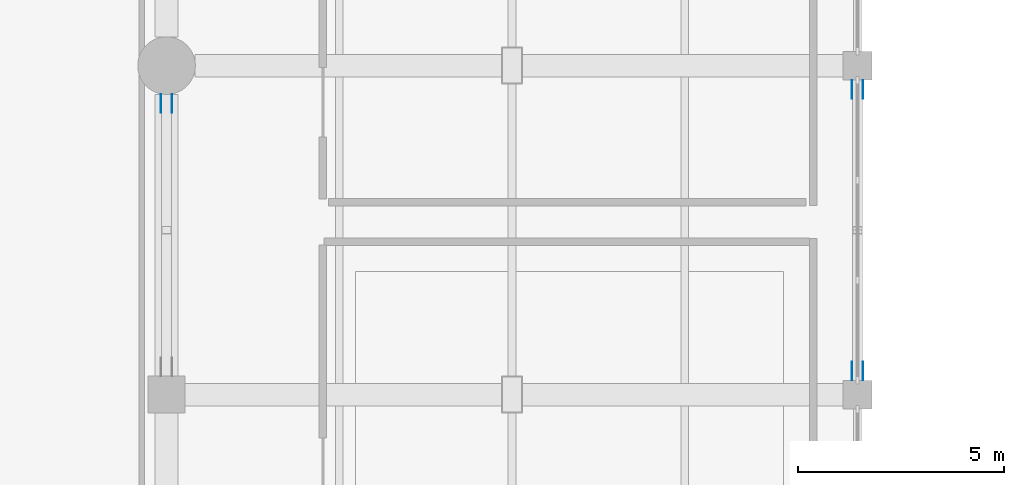
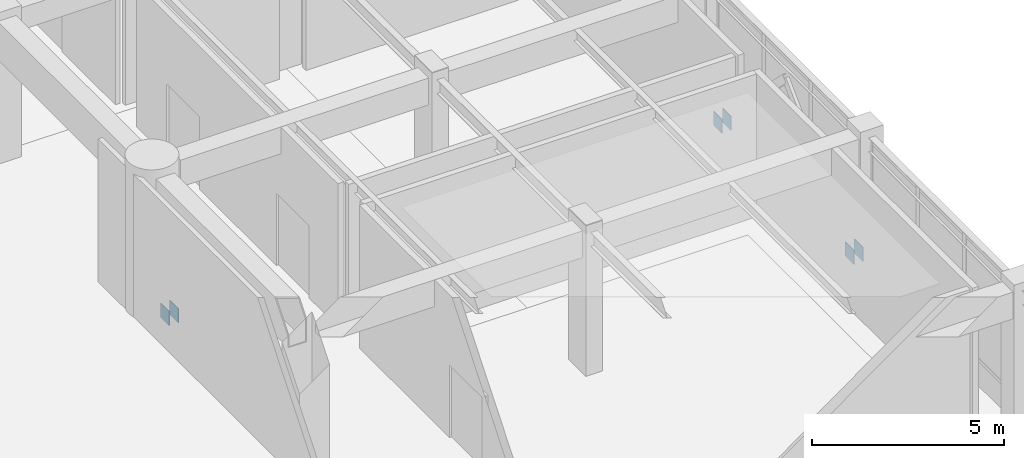
# One storey, part 69 of 76: 6 discrete accessories.
"""IFC4 building model written with IfcOpenShell, lengths in metres."""

from ifc_helpers import new_model, si_unit, direction, frame, origin, origin_2d, place, context, subcontext, project, spatial, rectangle, extrude, material, layer, layer_set, type_object, element, save


model = new_model("IFC4")

# Units and contexts
model_context = context("Model", 3, precision=1e-05, world=origin(), true_north=direction((0.0, 1.0)))
body_context = subcontext(model_context, "Body", "Model", "MODEL_VIEW")
ifc_project = project(units=[si_unit("LENGTHUNIT", "METRE"), si_unit("AREAUNIT", "SQUARE_METRE"), si_unit("VOLUMEUNIT", "CUBIC_METRE"), si_unit("PLANEANGLEUNIT", "RADIAN"), si_unit("MASSUNIT", "GRAM", prefix="KILO")], contexts=[model_context])

# Site, building, storey
site_placement = place(None, origin())
site = spatial("IfcSite", under=ifc_project, at=site_placement, CompositionType="ELEMENT")
building_placement = place(site_placement, origin())
building = spatial("IfcBuilding", under=site, at=building_placement, Name="Naruveol Harbour Congress Hotel", CompositionType="ELEMENT")
storey_placement = place(building_placement, frame((0.0, 0.0, 11.39990234375)))
storey = spatial("IfcBuildingStorey", under=building, at=storey_placement, Name="L02", CompositionType="ELEMENT", Elevation=11.39990234375)

# Discrete accessories
ifc_material = material(Name="Steel SN490", Category="steel")
ifc_layer = layer(ifc_material, 0.02001953125)
ifc_layer_set = layer_set([ifc_layer], Name="Steel SN490")
discrete_accessory_type = type_object("IfcDiscreteAccessoryType", Name="STEEL BRACE GUSSET PLATE 20", PredefinedType="USERDEFINED", material=ifc_layer_set)
for number, where, z_axis, x_axis, name in (
    (1, (50.534912109375, 47.074951171875, 0.1103515625), (0.0, 0.0, 1.0), (0.0, -1.0, 0.0), "Brace gusset plate Lateral chevron brace L02 #17B (A)"),
    (2, (50.264892578125, 47.074951171875, 0.1103515625), (0.0, 0.0, 1.0), (0.0, -1.0, 0.0), "Brace gusset plate Lateral chevron brace L02 #17B (B)"),
    (3, (67.06494140625, 40.574951171875, 0.1103515625), (0.0, 0.0, 1.0), (0.0, 1.0, 0.0), "Brace gusset plate Lateral chevron brace L02 #20A (A)"),
    (4, (67.3349609375, 40.574951171875, 0.1103515625), (0.0, 0.0, 1.0), (0.0, 1.0, 0.0), "Brace gusset plate Lateral chevron brace L02 #20A (B)"),
    (5, (67.3349609375, 47.425048828125, 0.1103515625), (0.0, 0.0, 1.0), (0.0, -1.0, 0.0), "Brace gusset plate Lateral chevron brace L02 #20B (A)"),
    (6, (67.06494140625, 47.425048828125, 0.1103515625), (0.0, 0.0, 1.0), (0.0, -1.0, 0.0), "Brace gusset plate Lateral chevron brace L02 #20B (B)"),
):
    element("IfcDiscreteAccessory", number, at=place(storey_placement, frame(where, z_axis=z_axis, x_axis=x_axis)), inside=storey, type_object=discrete_accessory_type, Name=name, ObjectType="BRACE GUSSET PLATE", PredefinedType="USERDEFINED", context=body_context, shape_type="SweptSolid", body=[
        extrude(rectangle(XDim=0.449951171875, YDim=0.02001953125, at=origin_2d()), origin(), (0.0, 0.0, 1.0), 0.449951171875),
    ])

save(model, "model.ifc")
